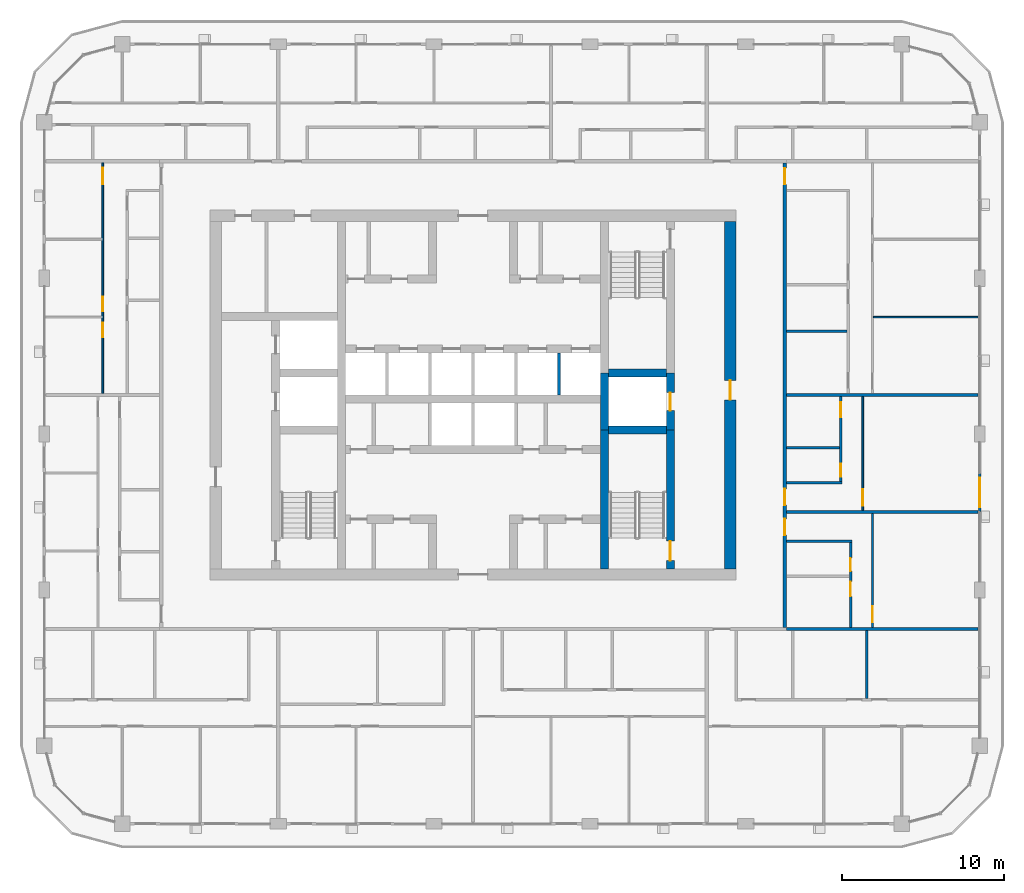
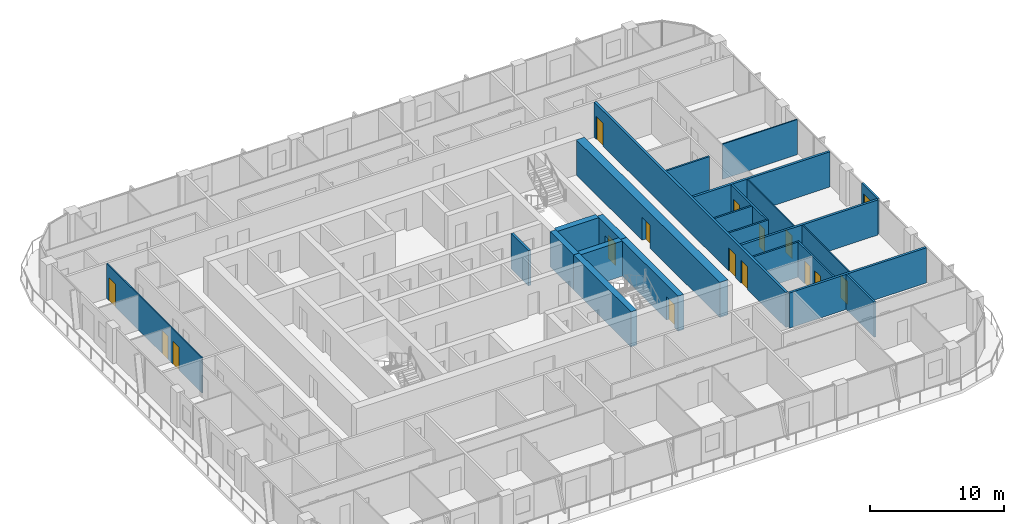
# One storey, part 12 of 22: 24 walls, 16 doors, 16 openings.
"""IFC4 building model written with IfcOpenShell, lengths in metres."""

from ifc_helpers import new_model, si_unit, direction, frame, frame_2d, origin, place, context, subcontext, project, spatial, rectangle, extrude, material, layer, layer_set, type_object, element, fill, save


model = new_model("IFC4")

# Units and contexts
model_context = context("Model", 3, precision=1e-05, world=origin(), true_north=direction((0.0, 1.0)))
body_context = subcontext(model_context, "Body", "Model", "MODEL_VIEW")
ifc_project = project(units=[si_unit("LENGTHUNIT", "METRE"), si_unit("AREAUNIT", "SQUARE_METRE"), si_unit("VOLUMEUNIT", "CUBIC_METRE"), si_unit("PLANEANGLEUNIT", "RADIAN"), si_unit("MASSUNIT", "GRAM", prefix="KILO")], contexts=[model_context])

# Site, building, storey
site_placement = place(None, origin())
site = spatial("IfcSite", under=ifc_project, at=site_placement, CompositionType="ELEMENT")
building_placement = place(site_placement, origin())
building = spatial("IfcBuilding", under=site, at=building_placement, Name="Madar Terraces", CompositionType="ELEMENT")
storey_placement = place(building_placement, frame((0.0, 0.0, 189.39990234375)))
storey = spatial("IfcBuildingStorey", under=building, at=storey_placement, Name="L49", CompositionType="ELEMENT", Elevation=189.39990234375)

# Walls
ifc_material_1 = material(Name="Concrete C60/75", Category="concrete")
ifc_layer_1 = layer(ifc_material_1, 0.5)
ifc_layer_set_1 = layer_set([ifc_layer_1], Name="Concrete C60/75 (CIW4 RC wall 500)")
wall_type_1 = type_object("IfcWallType", Name="CIW4 RC wall 500", PredefinedType="SHEAR", material=ifc_layer_set_1)
wall_1_placement = place(storey_placement, frame((39.300048828125, 15.699951171875, 0.0), z_axis=(0.0, 0.0, 1.0), x_axis=(0.0, 1.0, 0.0)))
element("IfcWall", 1, at=wall_1_placement, inside=storey, type_object=wall_type_1, Name="CORE SHAFT WALL", PredefinedType="SHEAR", context=body_context, shape_type="SweptSolid", body=[
    extrude(rectangle(XDim=8.550048828125, YDim=0.5, at=frame_2d((4.27490234375, 0.0))), origin(), (0.0, 0.0, 1.0), 3.2001953125),
])
wall_2_placement = place(storey_placement, frame((39.300048828125, 24.25, 0.0), z_axis=(0.0, 0.0, 1.0), x_axis=(0.0, 1.0, 0.0)))
element("IfcWall", 2, at=wall_2_placement, inside=storey, type_object=wall_type_1, Name="CORE SHAFT WALL", PredefinedType="SHEAR", context=body_context, shape_type="SweptSolid", body=[
    extrude(rectangle(XDim=3.5, YDim=0.5, at=frame_2d((1.75, 0.0))), origin(), (0.0, 0.0, 1.0), 3.2001953125),
])

# Wall, opening, door
wall_3_placement = place(storey_placement, frame((43.35009765625, 15.699951171875, 0.0), z_axis=(0.0, 0.0, 1.0), x_axis=(0.0, 1.0, 0.0)))
wall_3 = element("IfcWall", 3, at=wall_3_placement, inside=storey, type_object=wall_type_1, Name="CORE SHAFT WALL", PredefinedType="SHEAR", context=body_context, shape_type="SweptSolid", body=[
    extrude(rectangle(XDim=8.550048828125, YDim=0.5, at=frame_2d((4.27490234375, 0.0))), origin(), (0.0, 0.0, 1.0), 3.2001953125),
])
opening_1_placement = place(wall_3_placement, frame((0.5, 0.0, 0.0)))
opening_1 = element("IfcOpeningElement", 4, at=opening_1_placement, cuts=wall_3, Name="Opening SD1", PredefinedType="OPENING", context=body_context, shape_type="SweptSolid", body=[
    extrude(rectangle(XDim=1.199951171875, YDim=2.10009765625, at=frame_2d((0.60009765625, 1.050048828125))), frame((0.0, 0.260009765625, 0.0), z_axis=(0.0, -1.0, 0.0), x_axis=(1.0, 0.0, 0.0)), (0.0, 0.0, 1.0), 0.52001953125),
])
ifc_material_2 = material(Name="Steel door leaf", Category="steel")
door_type_1 = type_object("IfcDoorType", Name="Stair door 1200 x 2100", OperationType="NOTDEFINED", PredefinedType="DOOR", material=ifc_material_2)
door_1_placement = place(opening_1_placement, origin())
door_1 = element("IfcDoor", 5, at=door_1_placement, inside=storey, type_object=door_type_1, Name="STAIR DOOR", OperationType="SINGLE_SWING_RIGHT", OverallHeight=2.10009765625, OverallWidth=1.199951171875, PredefinedType="DOOR", context=body_context, shape_type="SweptSolid", body=[
    extrude(rectangle(XDim=1.199951171875, YDim=2.10009765625, at=frame_2d((0.60009765625, 1.050048828125))), frame((0.0, 0.02490234375, 0.0), z_axis=(0.0, -1.0, 0.0), x_axis=(1.0, 0.0, 0.0)), (0.0, 0.0, 1.0), 0.050048828125),
])
fill(opening_1, door_1)

wall_4_placement = place(storey_placement, frame((43.35009765625, 24.25, 0.0), z_axis=(0.0, 0.0, 1.0), x_axis=(0.0, 1.0, 0.0)))
wall_4 = element("IfcWall", 6, at=wall_4_placement, inside=storey, type_object=wall_type_1, Name="CORE SHAFT WALL", PredefinedType="SHEAR", context=body_context, shape_type="SweptSolid", body=[
    extrude(rectangle(XDim=3.5, YDim=0.5, at=frame_2d((1.75, 0.0))), origin(), (0.0, 0.0, 1.0), 3.2001953125),
])
opening_2_placement = place(wall_4_placement, frame((1.199951171875, 0.0, 0.0)))
opening_2 = element("IfcOpeningElement", 7, at=opening_2_placement, cuts=wall_4, Name="Opening LD", PredefinedType="OPENING", context=body_context, shape_type="SweptSolid", body=[
    extrude(rectangle(XDim=1.10009765625, YDim=2.10009765625, at=frame_2d((0.550048828125, 1.050048828125))), frame((0.0, 0.260009765625, 0.0), z_axis=(0.0, -1.0, 0.0), x_axis=(1.0, 0.0, 0.0)), (0.0, 0.0, 1.0), 0.52001953125),
])
ifc_material_3 = material(Name="Stainless steel panel", Category="steel")
door_type_2 = type_object("IfcDoorType", Name="Lift landing door 1100 x 2100", OperationType="DOUBLE_DOOR_SLIDING", PredefinedType="DOOR", material=ifc_material_3)
door_2_placement = place(opening_2_placement, origin())
door_2 = element("IfcDoor", 8, at=door_2_placement, inside=storey, type_object=door_type_2, Name="LIFT LANDING DOOR", OperationType="DOUBLE_DOOR_SLIDING", OverallHeight=2.10009765625, OverallWidth=1.10009765625, PredefinedType="DOOR", context=body_context, shape_type="SweptSolid", body=[
    extrude(rectangle(XDim=1.10009765625, YDim=2.10009765625, at=frame_2d((0.550048828125, 1.050048828125))), frame((0.0, 0.02490234375, 0.0), z_axis=(0.0, -1.0, 0.0), x_axis=(1.0, 0.0, 0.0)), (0.0, 0.0, 1.0), 0.050048828125),
])
fill(opening_2, door_2)

# Walls
for number, where, z_axis, x_axis, name in (
    (9, (39.550048828125, 24.25, 0.0), (0.0, 0.0, 1.0), (1.0, 0.0, 0.0), "CORE SHAFT WALL"),
    (10, (39.550048828125, 27.75, 0.0), (0.0, 0.0, 1.0), (1.0, 0.0, 0.0), "CORE SHAFT WALL"),
):
    element("IfcWall", number, at=place(storey_placement, frame(where, z_axis=z_axis, x_axis=x_axis)), inside=storey, type_object=wall_type_1, Name=name, PredefinedType="SHEAR", context=body_context, shape_type="SweptSolid", body=[
        extrude(rectangle(XDim=3.550048828125, YDim=0.5, at=frame_2d((1.77490234375, 0.0))), origin(), (0.0, 0.0, 1.0), 3.2001953125),
    ])

# Wall, opening, door
ifc_material_4 = material(Name="Concrete C60/75", Category="concrete")
ifc_layer_2 = layer(ifc_material_4, 0.699951171875)
ifc_layer_set_2 = layer_set([ifc_layer_2], Name="Concrete C60/75 (CRW4 RC wall 700)")
wall_type_2 = type_object("IfcWallType", Name="CRW4 RC wall 700", PredefinedType="SHEAR", material=ifc_layer_set_2)
wall_5_placement = place(storey_placement, frame((47.050048828125, 15.699951171875, 0.0), z_axis=(0.0, 0.0, 1.0), x_axis=(0.0, 1.0, 0.0)))
wall_5 = element("IfcWall", 11, at=wall_5_placement, inside=storey, type_object=wall_type_2, Name="CORE OUTER WALL", PredefinedType="SHEAR", context=body_context, shape_type="SweptSolid", body=[
    extrude(rectangle(XDim=21.400146484375, YDim=0.699951171875, at=frame_2d((10.7001953125, 0.0))), origin(), (0.0, 0.0, 1.0), 3.2001953125),
])
opening_3_placement = place(wall_5_placement, frame((10.39990234375, 0.0, 0.0)))
opening_3 = element("IfcOpeningElement", 12, at=opening_3_placement, cuts=wall_5, Name="Opening SD1", PredefinedType="OPENING", context=body_context, shape_type="SweptSolid", body=[
    extrude(rectangle(XDim=1.199951171875, YDim=2.10009765625, at=frame_2d((0.60009765625, 1.050048828125))), frame((0.0, 0.35986328125, 0.0), z_axis=(0.0, -1.0, 0.0), x_axis=(1.0, 0.0, 0.0)), (0.0, 0.0, 1.0), 0.719970703125),
])
door_3_placement = place(opening_3_placement, origin())
door_3 = element("IfcDoor", 13, at=door_3_placement, inside=storey, type_object=door_type_1, Name="STAIR DOOR", OperationType="SINGLE_SWING_LEFT", OverallHeight=2.10009765625, OverallWidth=1.199951171875, PredefinedType="DOOR", context=body_context, shape_type="SweptSolid", body=[
    extrude(rectangle(XDim=1.199951171875, YDim=2.10009765625, at=frame_2d((0.60009765625, 1.050048828125))), frame((0.0, 0.02490234375, 0.0), z_axis=(0.0, -1.0, 0.0), x_axis=(1.0, 0.0, 0.0)), (0.0, 0.0, 1.0), 0.050048828125),
])
fill(opening_3, door_3)

# Wall
ifc_material_5 = material(Name="Concrete C40/50", Category="concrete")
ifc_layer_3 = layer(ifc_material_5, 0.199951171875)
ifc_layer_set_3 = layer_set([ifc_layer_3], Name="Core shaft dividing wall 200 C40/50")
wall_type_3 = type_object("IfcWallType", Name="Core shaft dividing wall 200 C40/50", PredefinedType="SOLIDWALL", material=ifc_layer_set_3)
wall_6_placement = place(storey_placement, frame((36.5, 26.39990234375, 0.0), z_axis=(0.0, 0.0, 1.0), x_axis=(0.0, 1.0, 0.0)))
element("IfcWall", 14, at=wall_6_placement, inside=storey, type_object=wall_type_3, Name="SHAFT DIVIDING WALL", PredefinedType="SOLIDWALL", context=body_context, shape_type="SweptSolid", body=[
    extrude(rectangle(XDim=2.60009765625, YDim=0.199951171875, at=frame_2d((1.300048828125, 0.0))), origin(), (0.0, 0.0, 1.0), 3.2001953125),
])

# Wall, opening, door
ifc_material_6 = material(Name="Aluminium composite panel, black, over insulated backing", Category="aluminium")
ifc_layer_4 = layer(ifc_material_6, 0.14990234375)
ifc_layer_set_4 = layer_set([ifc_layer_4], Name="Facade bay panel 150")
wall_type_4 = type_object("IfcWallType", Name="Facade bay panel 150", PredefinedType="SOLIDWALL", material=ifc_layer_set_4)
wall_7_placement = place(storey_placement, frame((62.39990234375, 19.199951171875, 0.0), z_axis=(0.0, 0.0, 1.0), x_axis=(0.0, 1.0, 0.0)))
wall_7 = element("IfcWall", 15, at=wall_7_placement, inside=storey, type_object=wall_type_4, Name="Facade bay panel", PredefinedType="SOLIDWALL", context=body_context, shape_type="SweptSolid", body=[
    extrude(rectangle(XDim=2.400146484375, YDim=0.14990234375, at=frame_2d((1.2001953125, 0.0))), origin(), (0.0, 0.0, 1.0), 3.2001953125),
])
opening_4_placement = place(wall_7_placement, frame((0.300048828125, 0.0, 0.0)))
opening_4 = element("IfcOpeningElement", 16, at=opening_4_placement, cuts=wall_7, Name="Opening ED1", PredefinedType="OPENING", context=body_context, shape_type="SweptSolid", body=[
    extrude(rectangle(XDim=1.800048828125, YDim=2.39990234375, at=frame_2d((0.89990234375, 1.199951171875))), frame((0.0, 0.0849609375, 0.0), z_axis=(0.0, -1.0, 0.0), x_axis=(1.0, 0.0, 0.0)), (0.0, 0.0, 1.0), 0.169921875),
])
ifc_material_7 = material(Name="Glass, clear, with black aluminium frame", Category="aluminium")
door_type_3 = type_object("IfcDoorType", Name="Balcony and terrace sliding door 1800 x 2400", OperationType="SLIDING_TO_LEFT", PredefinedType="DOOR", material=ifc_material_7)
door_4_placement = place(opening_4_placement, origin())
door_4 = element("IfcDoor", 17, at=door_4_placement, inside=storey, type_object=door_type_3, Name="Balcony door", OperationType="SLIDING_TO_RIGHT", OverallHeight=2.39990234375, OverallWidth=1.800048828125, PredefinedType="DOOR", context=body_context, shape_type="SweptSolid", body=[
    extrude(rectangle(XDim=1.800048828125, YDim=2.39990234375, at=frame_2d((0.89990234375, 1.199951171875))), frame((0.0, 0.02490234375, 0.0), z_axis=(0.0, -1.0, 0.0), x_axis=(1.0, 0.0, 0.0)), (0.0, 0.0, 1.0), 0.050048828125),
])
fill(opening_4, door_4)

ifc_material_8 = material(Name="Gypsum board on steel studs", Category="steel")
ifc_layer_5 = layer(ifc_material_8, 0.10009765625)
ifc_layer_set_5 = layer_set([ifc_layer_5], Name="Flat partition 100")
wall_type_5 = type_object("IfcWallType", Name="Flat partition 100", PredefinedType="PARTITIONING", material=ifc_layer_set_5)
wall_8_placement = place(storey_placement, frame((55.800048828125, 19.10009765625, 0.0), z_axis=(0.0, 0.0, 1.0), x_axis=(0.0, -1.0, 0.0)))
wall_8 = element("IfcWall", 18, at=wall_8_placement, inside=storey, type_object=wall_type_5, Name="Flat partition 100", PredefinedType="PARTITIONING", context=body_context, shape_type="SweptSolid", body=[
    extrude(rectangle(XDim=7.0, YDim=0.10009765625, at=frame_2d((3.5, 0.0))), origin(), (0.0, 0.0, 1.0), 3.2001953125),
])
opening_5_placement = place(wall_8_placement, frame((5.699951171875, 0.0, 0.0)))
opening_5 = element("IfcOpeningElement", 19, at=opening_5_placement, cuts=wall_8, Name="Opening D3", PredefinedType="OPENING", context=body_context, shape_type="SweptSolid", body=[
    extrude(rectangle(XDim=1.0, YDim=2.10009765625, at=frame_2d((0.5, 1.050048828125))), frame((0.0, 0.06005859375, 0.0), z_axis=(0.0, -1.0, 0.0), x_axis=(1.0, 0.0, 0.0)), (0.0, 0.0, 1.0), 0.1201171875),
])
ifc_material_9 = material(Name="Timber door leaf", Category="wood")
door_type_4 = type_object("IfcDoorType", Name="Flat living room door 1000", OperationType="NOTDEFINED", PredefinedType="DOOR", material=ifc_material_9)
door_5_placement = place(opening_5_placement, origin())
door_5 = element("IfcDoor", 20, at=door_5_placement, inside=storey, type_object=door_type_4, Name="Flat living room door 1000", OperationType="SINGLE_SWING_RIGHT", OverallHeight=2.10009765625, OverallWidth=1.0, PredefinedType="DOOR", context=body_context, shape_type="SweptSolid", body=[
    extrude(rectangle(XDim=1.0, YDim=2.10009765625, at=frame_2d((0.5, 1.050048828125))), frame((0.0, 0.02490234375, 0.0), z_axis=(0.0, -1.0, 0.0), x_axis=(1.0, 0.0, 0.0)), (0.0, 0.0, 1.0), 0.050048828125),
])
fill(opening_5, door_5)

wall_9_placement = place(storey_placement, frame((55.199951171875, 26.300048828125, 0.0), z_axis=(0.0, 0.0, 1.0), x_axis=(0.0, -1.0, 0.0)))
wall_9 = element("IfcWall", 21, at=wall_9_placement, inside=storey, type_object=wall_type_5, Name="Flat partition 100", PredefinedType="PARTITIONING", context=body_context, shape_type="SweptSolid", body=[
    extrude(rectangle(XDim=7.0, YDim=0.10009765625, at=frame_2d((3.5, 0.0))), origin(), (0.0, 0.0, 1.0), 3.2001953125),
])
opening_6_placement = place(wall_9_placement, frame((5.699951171875, 0.0, 0.0)))
opening_6 = element("IfcOpeningElement", 22, at=opening_6_placement, cuts=wall_9, Name="Opening D3", PredefinedType="OPENING", context=body_context, shape_type="SweptSolid", body=[
    extrude(rectangle(XDim=1.0, YDim=2.10009765625, at=frame_2d((0.5, 1.050048828125))), frame((0.0, 0.06005859375, 0.0), z_axis=(0.0, -1.0, 0.0), x_axis=(1.0, 0.0, 0.0)), (0.0, 0.0, 1.0), 0.1201171875),
])
door_6_placement = place(opening_6_placement, origin())
door_6 = element("IfcDoor", 23, at=door_6_placement, inside=storey, type_object=door_type_4, Name="Flat living room door 1000", OperationType="SINGLE_SWING_RIGHT", OverallHeight=2.10009765625, OverallWidth=1.0, PredefinedType="DOOR", context=body_context, shape_type="SweptSolid", body=[
    extrude(rectangle(XDim=1.0, YDim=2.10009765625, at=frame_2d((0.5, 1.050048828125))), frame((0.0, 0.02490234375, 0.0), z_axis=(0.0, -1.0, 0.0), x_axis=(1.0, 0.0, 0.0)), (0.0, 0.0, 1.0), 0.050048828125),
])
fill(opening_6, door_6)

# Wall
wall_10_placement = place(storey_placement, frame((55.85009765625, 31.199951171875, 0.0), z_axis=(0.0, 0.0, 1.0), x_axis=(1.0, 0.0, 0.0)))
element("IfcWall", 24, at=wall_10_placement, inside=storey, type_object=wall_type_5, Name="Flat partition 100", PredefinedType="PARTITIONING", context=body_context, shape_type="SweptSolid", body=[
    extrude(rectangle(XDim=6.449951171875, YDim=0.10009765625, at=frame_2d((3.22509765625, 0.0))), origin(), (0.0, 0.0, 1.0), 3.2001953125),
])

# Wall, openings, doors
wall_11_placement = place(storey_placement, frame((8.39990234375, 26.5, 0.0), z_axis=(0.0, 0.0, 1.0), x_axis=(0.0, 1.0, 0.0)))
wall_11 = element("IfcWall", 25, at=wall_11_placement, inside=storey, type_object=wall_type_5, Name="Flat partition 100", PredefinedType="PARTITIONING", context=body_context, shape_type="SweptSolid", body=[
    extrude(rectangle(XDim=14.199951171875, YDim=0.10009765625, at=frame_2d((7.10009765625, 0.0))), origin(), (0.0, 0.0, 1.0), 3.2001953125),
])
opening_7_placement = place(wall_11_placement, frame((12.89990234375, 0.0, 0.0)))
opening_7 = element("IfcOpeningElement", 26, at=opening_7_placement, cuts=wall_11, Name="Opening D3", PredefinedType="OPENING", context=body_context, shape_type="SweptSolid", body=[
    extrude(rectangle(XDim=1.0, YDim=2.10009765625, at=frame_2d((0.5, 1.050048828125))), frame((0.0, 0.06005859375, 0.0), z_axis=(0.0, -1.0, 0.0), x_axis=(1.0, 0.0, 0.0)), (0.0, 0.0, 1.0), 0.1201171875),
])
opening_8_placement = place(wall_11_placement, frame((5.050048828125, 0.0, 0.0)))
opening_8 = element("IfcOpeningElement", 27, at=opening_8_placement, cuts=wall_11, Name="Opening D2", PredefinedType="OPENING", context=body_context, shape_type="SweptSolid", body=[
    extrude(rectangle(XDim=0.89990234375, YDim=2.10009765625, at=frame_2d((0.449951171875, 1.050048828125))), frame((0.0, 0.06005859375, 0.0), z_axis=(0.0, -1.0, 0.0), x_axis=(1.0, 0.0, 0.0)), (0.0, 0.0, 1.0), 0.1201171875),
])
opening_9_placement = place(wall_11_placement, frame((3.449951171875, 0.0, 0.0)))
opening_9 = element("IfcOpeningElement", 28, at=opening_9_placement, cuts=wall_11, Name="Opening D2", PredefinedType="OPENING", context=body_context, shape_type="SweptSolid", body=[
    extrude(rectangle(XDim=0.89990234375, YDim=2.10009765625, at=frame_2d((0.449951171875, 1.050048828125))), frame((0.0, 0.06005859375, 0.0), z_axis=(0.0, -1.0, 0.0), x_axis=(1.0, 0.0, 0.0)), (0.0, 0.0, 1.0), 0.1201171875),
])
door_7_placement = place(opening_7_placement, origin())
door_7 = element("IfcDoor", 29, at=door_7_placement, inside=storey, type_object=door_type_4, Name="Flat living room door 1000", OperationType="SINGLE_SWING_RIGHT", OverallHeight=2.10009765625, OverallWidth=1.0, PredefinedType="DOOR", context=body_context, shape_type="SweptSolid", body=[
    extrude(rectangle(XDim=1.0, YDim=2.10009765625, at=frame_2d((0.5, 1.050048828125))), frame((0.0, 0.02490234375, 0.0), z_axis=(0.0, -1.0, 0.0), x_axis=(1.0, 0.0, 0.0)), (0.0, 0.0, 1.0), 0.050048828125),
])
fill(opening_7, door_7)
ifc_material_10 = material(Name="Timber door leaf", Category="wood")
door_type_5 = type_object("IfcDoorType", Name="Flat room door 900", OperationType="NOTDEFINED", PredefinedType="DOOR", material=ifc_material_10)
door_8_placement = place(opening_8_placement, origin())
door_8 = element("IfcDoor", 30, at=door_8_placement, inside=storey, type_object=door_type_5, Name="Flat room door 900", OperationType="SINGLE_SWING_LEFT", OverallHeight=2.10009765625, OverallWidth=0.89990234375, PredefinedType="DOOR", context=body_context, shape_type="SweptSolid", body=[
    extrude(rectangle(XDim=0.89990234375, YDim=2.10009765625, at=frame_2d((0.449951171875, 1.050048828125))), frame((0.0, 0.02490234375, 0.0), z_axis=(0.0, -1.0, 0.0), x_axis=(1.0, 0.0, 0.0)), (0.0, 0.0, 1.0), 0.050048828125),
])
fill(opening_8, door_8)
door_9_placement = place(opening_9_placement, origin())
door_9 = element("IfcDoor", 31, at=door_9_placement, inside=storey, type_object=door_type_5, Name="Flat room door 900", OperationType="SINGLE_SWING_RIGHT", OverallHeight=2.10009765625, OverallWidth=0.89990234375, PredefinedType="DOOR", context=body_context, shape_type="SweptSolid", body=[
    extrude(rectangle(XDim=0.89990234375, YDim=2.10009765625, at=frame_2d((0.449951171875, 1.050048828125))), frame((0.0, 0.02490234375, 0.0), z_axis=(0.0, -1.0, 0.0), x_axis=(1.0, 0.0, 0.0)), (0.0, 0.0, 1.0), 0.050048828125),
])
fill(opening_9, door_9)

ifc_material_11 = material(Name="Lightweight blockwork", Category="masonry")
ifc_layer_6 = layer(ifc_material_11, 0.199951171875)
ifc_layer_set_6 = layer_set([ifc_layer_6], Name="Flat party and entrance wall 200")
wall_type_6 = type_object("IfcWallType", Name="Flat party and entrance wall 200", PredefinedType="PARTITIONING", material=ifc_layer_set_6)
wall_12_placement = place(storey_placement, frame((50.39990234375, 40.699951171875, 0.0), z_axis=(0.0, 0.0, 1.0), x_axis=(0.0, -1.0, 0.0)))
wall_12 = element("IfcWall", 32, at=wall_12_placement, inside=storey, type_object=wall_type_6, Name="Flat party and entrance wall 200", PredefinedType="PARTITIONING", context=body_context, shape_type="SweptSolid", body=[
    extrude(rectangle(XDim=28.599853515625, YDim=0.199951171875, at=frame_2d((14.2998046875, 0.0))), origin(), (0.0, 0.0, 1.0), 3.2001953125),
])
opening_10_placement = place(wall_12_placement, frame((21.925048828125, 0.0, 0.0)))
opening_10 = element("IfcOpeningElement", 33, at=opening_10_placement, cuts=wall_12, Name="Opening D1", PredefinedType="OPENING", context=body_context, shape_type="SweptSolid", body=[
    extrude(rectangle(XDim=1.0, YDim=2.10009765625, at=frame_2d((0.5, 1.050048828125))), frame((0.0, 0.10986328125, 0.0), z_axis=(0.0, -1.0, 0.0), x_axis=(1.0, 0.0, 0.0)), (0.0, 0.0, 1.0), 0.219970703125),
])
opening_11_placement = place(wall_12_placement, frame((20.074951171875, 0.0, 0.0)))
opening_11 = element("IfcOpeningElement", 34, at=opening_11_placement, cuts=wall_12, Name="Opening D1", PredefinedType="OPENING", context=body_context, shape_type="SweptSolid", body=[
    extrude(rectangle(XDim=1.0, YDim=2.10009765625, at=frame_2d((0.5, 1.050048828125))), frame((0.0, 0.10986328125, 0.0), z_axis=(0.0, -1.0, 0.0), x_axis=(1.0, 0.0, 0.0)), (0.0, 0.0, 1.0), 0.219970703125),
])
opening_12_placement = place(wall_12_placement, frame((0.324951171875, 0.0, 0.0)))
opening_12 = element("IfcOpeningElement", 35, at=opening_12_placement, cuts=wall_12, Name="Opening D1", PredefinedType="OPENING", context=body_context, shape_type="SweptSolid", body=[
    extrude(rectangle(XDim=1.0, YDim=2.10009765625, at=frame_2d((0.5, 1.050048828125))), frame((0.0, 0.10986328125, 0.0), z_axis=(0.0, -1.0, 0.0), x_axis=(1.0, 0.0, 0.0)), (0.0, 0.0, 1.0), 0.219970703125),
])
ifc_material_12 = material(Name="Timber fire door leaf", Category="wood")
door_type_6 = type_object("IfcDoorType", Name="Flat entrance door 1000 FD30S", OperationType="NOTDEFINED", PredefinedType="DOOR", material=ifc_material_12)
door_10_placement = place(opening_10_placement, origin())
door_10 = element("IfcDoor", 36, at=door_10_placement, inside=storey, type_object=door_type_6, Name="Flat entrance door 1000 FD30S", OperationType="SINGLE_SWING_LEFT", OverallHeight=2.10009765625, OverallWidth=1.0, PredefinedType="DOOR", context=body_context, shape_type="SweptSolid", body=[
    extrude(rectangle(XDim=1.0, YDim=2.10009765625, at=frame_2d((0.5, 1.050048828125))), frame((0.0, 0.02490234375, 0.0), z_axis=(0.0, -1.0, 0.0), x_axis=(1.0, 0.0, 0.0)), (0.0, 0.0, 1.0), 0.050048828125),
])
fill(opening_10, door_10)
door_11_placement = place(opening_11_placement, origin())
door_11 = element("IfcDoor", 37, at=door_11_placement, inside=storey, type_object=door_type_6, Name="Flat entrance door 1000 FD30S", OperationType="SINGLE_SWING_RIGHT", OverallHeight=2.10009765625, OverallWidth=1.0, PredefinedType="DOOR", context=body_context, shape_type="SweptSolid", body=[
    extrude(rectangle(XDim=1.0, YDim=2.10009765625, at=frame_2d((0.5, 1.050048828125))), frame((0.0, 0.02490234375, 0.0), z_axis=(0.0, -1.0, 0.0), x_axis=(1.0, 0.0, 0.0)), (0.0, 0.0, 1.0), 0.050048828125),
])
fill(opening_11, door_11)
door_12_placement = place(opening_12_placement, origin())
door_12 = element("IfcDoor", 38, at=door_12_placement, inside=storey, type_object=door_type_6, Name="Flat entrance door 1000 FD30S", OperationType="SINGLE_SWING_LEFT", OverallHeight=2.10009765625, OverallWidth=1.0, PredefinedType="DOOR", context=body_context, shape_type="SweptSolid", body=[
    extrude(rectangle(XDim=1.0, YDim=2.10009765625, at=frame_2d((0.5, 1.050048828125))), frame((0.0, 0.02490234375, 0.0), z_axis=(0.0, -1.0, 0.0), x_axis=(1.0, 0.0, 0.0)), (0.0, 0.0, 1.0), 0.050048828125),
])
fill(opening_12, door_12)

# Walls
for number, where, z_axis, x_axis, name in (
    (39, (50.5, 12.0, 0.0), (0.0, 0.0, 1.0), (1.0, 0.0, 0.0), "Flat party and entrance wall 200"),
    (40, (50.5, 19.199951171875, 0.0), (0.0, 0.0, 1.0), (1.0, 0.0, 0.0), "Flat party and entrance wall 200"),
    (41, (50.5, 26.39990234375, 0.0), (0.0, 0.0, 1.0), (1.0, 0.0, 0.0), "Flat party and entrance wall 200"),
):
    element("IfcWall", number, at=place(storey_placement, frame(where, z_axis=z_axis, x_axis=x_axis)), inside=storey, type_object=wall_type_6, Name=name, PredefinedType="PARTITIONING", context=body_context, shape_type="SweptSolid", body=[
        extrude(rectangle(XDim=11.800048828125, YDim=0.199951171875, at=frame_2d((5.89990234375, 0.0))), origin(), (0.0, 0.0, 1.0), 3.2001953125),
    ])
ifc_material_13 = material(Name="Lightweight blockwork", Category="masonry")
ifc_layer_7 = layer(ifc_material_13, 0.14990234375)
ifc_layer_set_7 = layer_set([ifc_layer_7], Name="Flat wet-room partition 150")
wall_type_7 = type_object("IfcWallType", Name="Flat wet-room partition 150", PredefinedType="PARTITIONING", material=ifc_layer_set_7)
wall_13_placement = place(storey_placement, frame((55.457763671875, 11.89990234375, 0.0), z_axis=(0.0, 0.0, 1.0), x_axis=(0.0, -1.0, 0.0)))
element("IfcWall", 42, at=wall_13_placement, inside=storey, type_object=wall_type_7, Name="Flat wet-room partition 150", PredefinedType="PARTITIONING", context=body_context, shape_type="SweptSolid", body=[
    extrude(rectangle(XDim=4.1748046875, YDim=0.14990234375, at=frame_2d((2.08740234375, 0.0))), origin(), (0.0, 0.0, 1.0), 3.2001953125),
])
wall_14_placement = place(storey_placement, frame((50.5, 17.39990234375, 0.0), z_axis=(0.0, 0.0, 1.0), x_axis=(1.0, 0.0, 0.0)))
element("IfcWall", 43, at=wall_14_placement, inside=storey, type_object=wall_type_7, Name="Flat wet-room partition 150", PredefinedType="PARTITIONING", context=body_context, shape_type="SweptSolid", body=[
    extrude(rectangle(XDim=4.02490234375, YDim=0.14990234375, at=frame_2d((2.012451171875, 0.0))), origin(), (0.0, 0.0, 1.0), 3.2001953125),
])

# Wall, openings, doors
wall_15_placement = place(storey_placement, frame((54.449951171875, 12.10009765625, 0.0), z_axis=(0.0, 0.0, 1.0), x_axis=(0.0, 1.0, 0.0)))
wall_15 = element("IfcWall", 44, at=wall_15_placement, inside=storey, type_object=wall_type_7, Name="Flat wet-room partition 150", PredefinedType="PARTITIONING", context=body_context, shape_type="SweptSolid", body=[
    extrude(rectangle(XDim=5.224853515625, YDim=0.14990234375, at=frame_2d((2.6123046875, 0.0))), origin(), (0.0, 0.0, 1.0), 3.2001953125),
])
opening_13_placement = place(wall_15_placement, frame((3.4599609375, 0.0, 0.0)))
opening_13 = element("IfcOpeningElement", 45, at=opening_13_placement, cuts=wall_15, Name="Opening D4", PredefinedType="OPENING", context=body_context, shape_type="SweptSolid", body=[
    extrude(rectangle(XDim=0.800048828125, YDim=2.10009765625, at=frame_2d((0.39990234375, 1.050048828125))), frame((0.0, 0.0849609375, 0.0), z_axis=(0.0, -1.0, 0.0), x_axis=(1.0, 0.0, 0.0)), (0.0, 0.0, 1.0), 0.169921875),
])
opening_14_placement = place(wall_15_placement, frame((1.909912109375, 0.0, 0.0)))
opening_14 = element("IfcOpeningElement", 46, at=opening_14_placement, cuts=wall_15, Name="Opening D2", PredefinedType="OPENING", context=body_context, shape_type="SweptSolid", body=[
    extrude(rectangle(XDim=0.89990234375, YDim=2.10009765625, at=frame_2d((0.449951171875, 1.050048828125))), frame((0.0, 0.0849609375, 0.0), z_axis=(0.0, -1.0, 0.0), x_axis=(1.0, 0.0, 0.0)), (0.0, 0.0, 1.0), 0.169921875),
])
ifc_material_14 = material(Name="Timber door leaf", Category="wood")
door_type_7 = type_object("IfcDoorType", Name="Flat bathroom door 800", OperationType="NOTDEFINED", PredefinedType="DOOR", material=ifc_material_14)
door_13_placement = place(opening_13_placement, origin())
door_13 = element("IfcDoor", 47, at=door_13_placement, inside=storey, type_object=door_type_7, Name="Flat bathroom door 800", OperationType="SINGLE_SWING_LEFT", OverallHeight=2.10009765625, OverallWidth=0.800048828125, PredefinedType="DOOR", context=body_context, shape_type="SweptSolid", body=[
    extrude(rectangle(XDim=0.800048828125, YDim=2.10009765625, at=frame_2d((0.39990234375, 1.050048828125))), frame((0.0, 0.02490234375, 0.0), z_axis=(0.0, -1.0, 0.0), x_axis=(1.0, 0.0, 0.0)), (0.0, 0.0, 1.0), 0.050048828125),
])
fill(opening_13, door_13)
door_14_placement = place(opening_14_placement, origin())
door_14 = element("IfcDoor", 48, at=door_14_placement, inside=storey, type_object=door_type_5, Name="Flat room door 900", OperationType="SINGLE_SWING_RIGHT", OverallHeight=2.10009765625, OverallWidth=0.89990234375, PredefinedType="DOOR", context=body_context, shape_type="SweptSolid", body=[
    extrude(rectangle(XDim=0.89990234375, YDim=2.10009765625, at=frame_2d((0.449951171875, 1.050048828125))), frame((0.0, 0.02490234375, 0.0), z_axis=(0.0, -1.0, 0.0), x_axis=(1.0, 0.0, 0.0)), (0.0, 0.0, 1.0), 0.050048828125),
])
fill(opening_14, door_14)

# Walls
wall_16_placement = place(storey_placement, frame((50.5, 23.1650390625, 0.0), z_axis=(0.0, 0.0, 1.0), x_axis=(1.0, 0.0, 0.0)))
element("IfcWall", 49, at=wall_16_placement, inside=storey, type_object=wall_type_7, Name="Flat wet-room partition 150", PredefinedType="PARTITIONING", context=body_context, shape_type="SweptSolid", body=[
    extrude(rectangle(XDim=3.27490234375, YDim=0.14990234375, at=frame_2d((1.637451171875, 0.0))), origin(), (0.0, 0.0, 1.0), 3.2001953125),
])
wall_17_placement = place(storey_placement, frame((50.5, 21.0, 0.0), z_axis=(0.0, 0.0, 1.0), x_axis=(1.0, 0.0, 0.0)))
element("IfcWall", 50, at=wall_17_placement, inside=storey, type_object=wall_type_7, Name="Flat wet-room partition 150", PredefinedType="PARTITIONING", context=body_context, shape_type="SweptSolid", body=[
    extrude(rectangle(XDim=3.425048828125, YDim=0.14990234375, at=frame_2d((1.71240234375, 0.0))), origin(), (0.0, 0.0, 1.0), 3.2001953125),
])

# Wall, openings, doors
wall_18_placement = place(storey_placement, frame((53.85009765625, 21.074951171875, 0.0), z_axis=(0.0, 0.0, 1.0), x_axis=(0.0, 1.0, 0.0)))
wall_18 = element("IfcWall", 51, at=wall_18_placement, inside=storey, type_object=wall_type_7, Name="Flat wet-room partition 150", PredefinedType="PARTITIONING", context=body_context, shape_type="SweptSolid", body=[
    extrude(rectangle(XDim=5.22509765625, YDim=0.14990234375, at=frame_2d((2.612548828125, 0.0))), origin(), (0.0, 0.0, 1.0), 3.2001953125),
])
opening_15_placement = place(wall_18_placement, frame((0.300048828125, 0.0, 0.0)))
opening_15 = element("IfcOpeningElement", 52, at=opening_15_placement, cuts=wall_18, Name="Opening D4", PredefinedType="OPENING", context=body_context, shape_type="SweptSolid", body=[
    extrude(rectangle(XDim=0.800048828125, YDim=2.10009765625, at=frame_2d((0.39990234375, 1.050048828125))), frame((0.0, 0.0849609375, 0.0), z_axis=(0.0, -1.0, 0.0), x_axis=(1.0, 0.0, 0.0)), (0.0, 0.0, 1.0), 0.169921875),
])
opening_16_placement = place(wall_18_placement, frame((3.97509765625, 0.0, 0.0)))
opening_16 = element("IfcOpeningElement", 53, at=opening_16_placement, cuts=wall_18, Name="Opening D2", PredefinedType="OPENING", context=body_context, shape_type="SweptSolid", body=[
    extrude(rectangle(XDim=0.89990234375, YDim=2.10009765625, at=frame_2d((0.449951171875, 1.050048828125))), frame((0.0, 0.0849609375, 0.0), z_axis=(0.0, -1.0, 0.0), x_axis=(1.0, 0.0, 0.0)), (0.0, 0.0, 1.0), 0.169921875),
])
door_15_placement = place(opening_15_placement, origin())
door_15 = element("IfcDoor", 54, at=door_15_placement, inside=storey, type_object=door_type_7, Name="Flat bathroom door 800", OperationType="SINGLE_SWING_LEFT", OverallHeight=2.10009765625, OverallWidth=0.800048828125, PredefinedType="DOOR", context=body_context, shape_type="SweptSolid", body=[
    extrude(rectangle(XDim=0.800048828125, YDim=2.10009765625, at=frame_2d((0.39990234375, 1.050048828125))), frame((0.0, 0.02490234375, 0.0), z_axis=(0.0, -1.0, 0.0), x_axis=(1.0, 0.0, 0.0)), (0.0, 0.0, 1.0), 0.050048828125),
])
fill(opening_15, door_15)
door_16_placement = place(opening_16_placement, origin())
door_16 = element("IfcDoor", 55, at=door_16_placement, inside=storey, type_object=door_type_5, Name="Flat room door 900", OperationType="SINGLE_SWING_RIGHT", OverallHeight=2.10009765625, OverallWidth=0.89990234375, PredefinedType="DOOR", context=body_context, shape_type="SweptSolid", body=[
    extrude(rectangle(XDim=0.89990234375, YDim=2.10009765625, at=frame_2d((0.449951171875, 1.050048828125))), frame((0.0, 0.02490234375, 0.0), z_axis=(0.0, -1.0, 0.0), x_axis=(1.0, 0.0, 0.0)), (0.0, 0.0, 1.0), 0.050048828125),
])
fill(opening_16, door_16)

# Wall
wall_19_placement = place(storey_placement, frame((50.5, 30.322998046875, 0.0), z_axis=(0.0, 0.0, 1.0), x_axis=(1.0, 0.0, 0.0)))
element("IfcWall", 56, at=wall_19_placement, inside=storey, type_object=wall_type_7, Name="Flat wet-room partition 150", PredefinedType="PARTITIONING", context=body_context, shape_type="SweptSolid", body=[
    extrude(rectangle(XDim=3.72509765625, YDim=0.14990234375, at=frame_2d((1.862548828125, 0.0))), origin(), (0.0, 0.0, 1.0), 3.2001953125),
])

save(model, "model.ifc")
